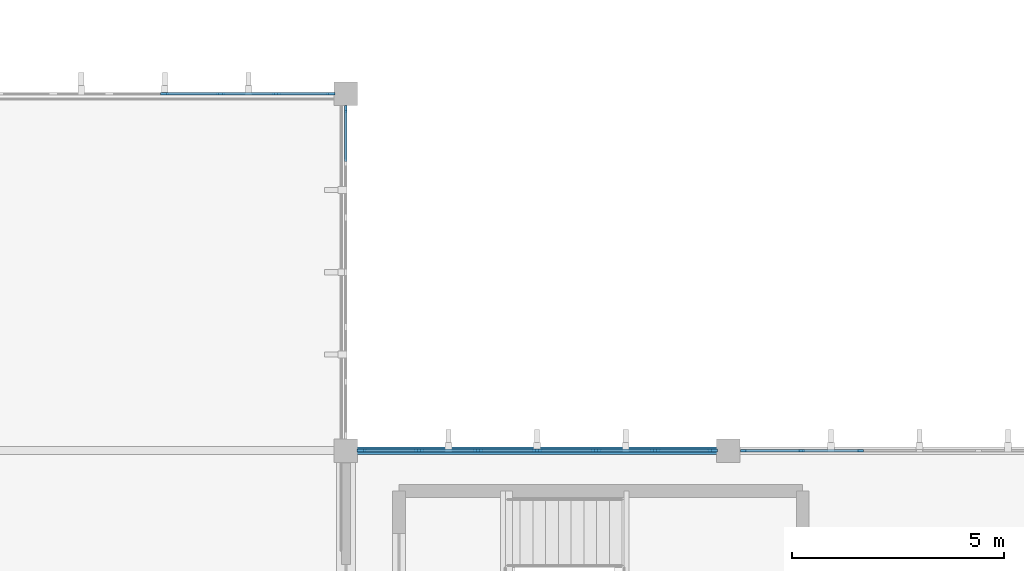
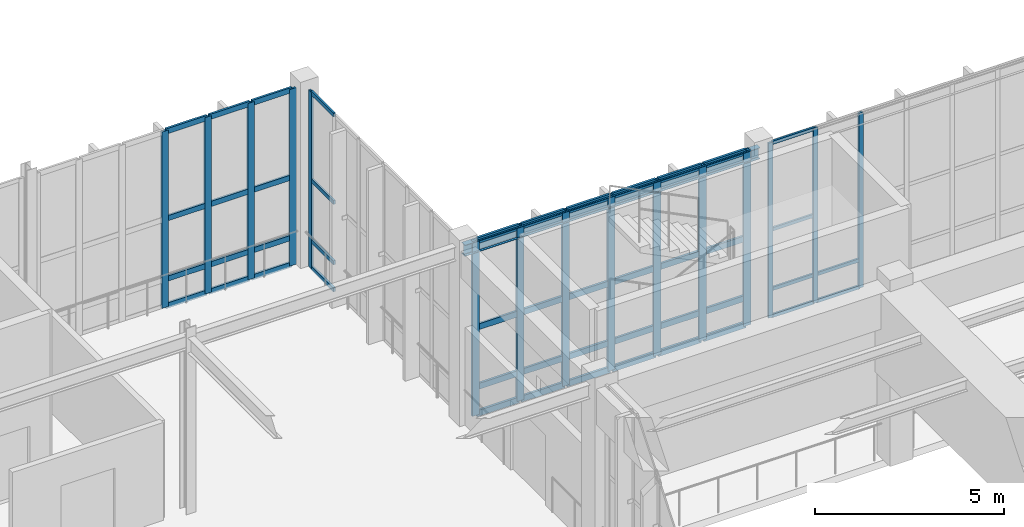
# One storey, part 39 of 105: 61 members, 1 beam, 4 elements without a shape of their own.
"""IFC4 building model written with IfcOpenShell, lengths in metres."""

from ifc_helpers import new_model, si_unit, direction, frame, origin, origin_2d, place, context, subcontext, project, spatial, rectangle, i_section, extrude, material, material_profile, profile_set, type_object, element, aggregate, save


model = new_model("IFC4")

# Units and contexts
model_context = context("Model", 3, precision=1e-05, world=origin(), true_north=direction((0.0, 1.0)))
body_context = subcontext(model_context, "Body", "Model", "MODEL_VIEW")
ifc_project = project(units=[si_unit("LENGTHUNIT", "METRE"), si_unit("AREAUNIT", "SQUARE_METRE"), si_unit("VOLUMEUNIT", "CUBIC_METRE"), si_unit("PLANEANGLEUNIT", "RADIAN"), si_unit("MASSUNIT", "GRAM", prefix="KILO")], contexts=[model_context])

# Site, building, storey
site_placement = place(None, origin())
site = spatial("IfcSite", under=ifc_project, at=site_placement, CompositionType="ELEMENT")
building_placement = place(site_placement, origin())
building = spatial("IfcBuilding", under=site, at=building_placement, Name="Tizgana Railside Sports Hall", CompositionType="ELEMENT")
storey_placement = place(building_placement, frame((0.0, 0.0, 6.0)))
storey = spatial("IfcBuildingStorey", under=building, at=storey_placement, Name="L01", CompositionType="ELEMENT", Elevation=6.0)

# Curtain wall, members
ifc_material_1 = material(Name="Anodised aluminium and glass", Category="aluminium")
curtain_wall_type_1 = type_object("IfcCurtainWallType", Name="Unitised Curtain Wall Studio 1400", PredefinedType="NOTDEFINED", material=ifc_material_1)
curtain_wall_1_placement = place(storey_placement, origin())
curtain_wall_1 = element("IfcCurtainWall", 1, at=curtain_wall_1_placement, inside=storey, type_object=curtain_wall_type_1, Name="L01 Curtain Wall CW-0018", PredefinedType="NOTDEFINED")
ifc_material_2 = material(Name="Anodised aluminium", Category="aluminium")
ifc_material_profile_1 = material_profile(ifc_material_2, rectangle(XDim=0.06005859375, YDim=0.139892578125, at=origin_2d()), Name="Mullion 60x140")
ifc_profile_set_1 = profile_set([ifc_material_profile_1], Name="Anodised aluminium")
member_type_1 = type_object("IfcMemberType", Name="Mullion 60x140", PredefinedType="MULLION", material=ifc_profile_set_1)
member_1_placement = place(storey_placement, frame((89.159912109375, 80.39990234375, 0.0), z_axis=(0.0, 0.0, 1.0), x_axis=(0.0, 1.0, 0.0)))
member_1 = element("IfcMember", 2, at=member_1_placement, type_object=member_type_1, Name="CW-03 mullion 1", PredefinedType="MULLION", context=body_context, shape_type="SweptSolid", body=[
    extrude(rectangle(XDim=0.06005859375, YDim=0.139892578125, at=origin_2d()), origin(), (0.0, 0.0, 1.0), 5.639892578125),
])
member_2_placement = place(storey_placement, frame((90.52001953125, 80.39990234375, 0.0), z_axis=(0.0, 0.0, 1.0), x_axis=(0.0, 1.0, 0.0)))
member_2 = element("IfcMember", 3, at=member_2_placement, type_object=member_type_1, Name="CW-03 mullion 2", PredefinedType="MULLION", context=body_context, shape_type="SweptSolid", body=[
    extrude(rectangle(XDim=0.06005859375, YDim=0.139892578125, at=origin_2d()), origin(), (0.0, 0.0, 1.0), 5.639892578125),
])
member_3_placement = place(storey_placement, frame((91.909912109375, 80.39990234375, 0.0), z_axis=(0.0, 0.0, 1.0), x_axis=(0.0, 1.0, 0.0)))
member_3 = element("IfcMember", 4, at=member_3_placement, type_object=member_type_1, Name="CW-03 mullion 3", PredefinedType="MULLION", context=body_context, shape_type="SweptSolid", body=[
    extrude(rectangle(XDim=0.06005859375, YDim=0.139892578125, at=origin_2d()), origin(), (0.0, 0.0, 1.0), 5.639892578125),
])

# Curtain wall, member
curtain_wall_type_2 = type_object("IfcCurtainWallType", Name="Unitised Curtain Wall Foyer 1300", PredefinedType="NOTDEFINED", material=ifc_material_1)
curtain_wall_2_placement = place(storey_placement, origin())
curtain_wall_2 = element("IfcCurtainWall", 5, at=curtain_wall_2_placement, inside=storey, type_object=curtain_wall_type_2, Name="L01 Curtain Wall CW-0169", PredefinedType="NOTDEFINED")
ifc_material_profile_2 = material_profile(ifc_material_2, rectangle(XDim=0.06005859375, YDim=0.159912109375, at=origin_2d()), Name="Mullion 60x160")
ifc_profile_set_2 = profile_set([ifc_material_profile_2], Name="Anodised aluminium")
member_type_2 = type_object("IfcMemberType", Name="Mullion 60x160", PredefinedType="MULLION", material=ifc_profile_set_2)
member_4_placement = place(storey_placement, frame((79.800048828125, 88.43994140625, 0.0), z_axis=(0.0, 0.0, 1.0), x_axis=(-1.0, 0.0, 0.0)))
member_4 = element("IfcMember", 6, at=member_4_placement, type_object=member_type_2, Name="CW-02 mullion 7", PredefinedType="MULLION", context=body_context, shape_type="SweptSolid", body=[
    extrude(rectangle(XDim=0.06005859375, YDim=0.159912109375, at=origin_2d()), origin(), (0.0, 0.0, 1.0), 5.68994140625),
])

# Curtain wall, members
curtain_wall_type_3 = type_object("IfcCurtainWallType", Name="Unitised Curtain Wall EastHall 1500", PredefinedType="NOTDEFINED", material=ifc_material_1)
curtain_wall_3_placement = place(storey_placement, origin())
curtain_wall_3 = element("IfcCurtainWall", 7, at=curtain_wall_3_placement, inside=storey, type_object=curtain_wall_type_3, Name="L01 Curtain Wall CW-0039", PredefinedType="NOTDEFINED")
ifc_material_profile_3 = material_profile(ifc_material_2, rectangle(XDim=0.06494140625, YDim=0.199951171875, at=origin_2d()), Name="Mullion 65x200")
ifc_profile_set_3 = profile_set([ifc_material_profile_3], Name="Anodised aluminium")
member_type_3 = type_object("IfcMemberType", Name="Mullion 65x200", PredefinedType="MULLION", material=ifc_profile_set_3)
member_5_placement = place(storey_placement, frame((75.53759765625, 88.800048828125, 0.0), z_axis=(0.0, 0.0, 1.0), x_axis=(0.0, 1.0, 0.0)))
member_5 = element("IfcMember", 8, at=member_5_placement, type_object=member_type_3, Name="CW-08 mullion 4", PredefinedType="MULLION", context=body_context, shape_type="SweptSolid", body=[
    extrude(rectangle(XDim=0.06494140625, YDim=0.199951171875, at=origin_2d()), origin(), (0.0, 0.0, 1.0), 5.68994140625),
])
member_6_placement = place(storey_placement, frame((76.848388671875, 88.800048828125, 0.0), z_axis=(0.0, 0.0, 1.0), x_axis=(0.0, 1.0, 0.0)))
member_6 = element("IfcMember", 9, at=member_6_placement, type_object=member_type_3, Name="CW-08 mullion 5", PredefinedType="MULLION", context=body_context, shape_type="SweptSolid", body=[
    extrude(rectangle(XDim=0.06494140625, YDim=0.199951171875, at=origin_2d()), origin(), (0.0, 0.0, 1.0), 5.68994140625),
])
member_7_placement = place(storey_placement, frame((78.1591796875, 88.800048828125, 0.0), z_axis=(0.0, 0.0, 1.0), x_axis=(0.0, 1.0, 0.0)))
member_7 = element("IfcMember", 10, at=member_7_placement, type_object=member_type_3, Name="CW-08 mullion 6", PredefinedType="MULLION", context=body_context, shape_type="SweptSolid", body=[
    extrude(rectangle(XDim=0.06494140625, YDim=0.199951171875, at=origin_2d()), origin(), (0.0, 0.0, 1.0), 5.68994140625),
])
member_8_placement = place(storey_placement, frame((79.4375, 88.800048828125, 0.0), z_axis=(0.0, 0.0, 1.0), x_axis=(0.0, 1.0, 0.0)))
member_8 = element("IfcMember", 11, at=member_8_placement, type_object=member_type_3, Name="CW-08 mullion 7", PredefinedType="MULLION", context=body_context, shape_type="SweptSolid", body=[
    extrude(rectangle(XDim=0.06494140625, YDim=0.199951171875, at=origin_2d()), origin(), (0.0, 0.0, 1.0), 5.68994140625),
])

curtain_wall_type_4 = type_object("IfcCurtainWallType", Name="Unitised Curtain Wall Concourse 1500", PredefinedType="NOTDEFINED", material=ifc_material_1)
curtain_wall_4_placement = place(storey_placement, origin())
curtain_wall_4 = element("IfcCurtainWall", 12, at=curtain_wall_4_placement, inside=storey, type_object=curtain_wall_type_4, Name="L01 Curtain Wall CW-0016", PredefinedType="NOTDEFINED")
ifc_material_profile_4 = material_profile(ifc_material_2, rectangle(XDim=0.070068359375, YDim=0.219970703125, at=origin_2d()), Name="Mullion 70x220")
ifc_profile_set_4 = profile_set([ifc_material_profile_4], Name="Anodised aluminium")
member_type_4 = type_object("IfcMemberType", Name="Mullion 70x220", PredefinedType="MULLION", material=ifc_profile_set_4)
member_9_placement = place(storey_placement, frame((80.1650390625, 80.39990234375, 0.0), z_axis=(0.0, 0.0, 1.0), x_axis=(0.0, 1.0, 0.0)))
member_9 = element("IfcMember", 13, at=member_9_placement, type_object=member_type_4, Name="CW-01 mullion 1", PredefinedType="MULLION", context=body_context, shape_type="SweptSolid", body=[
    extrude(rectangle(XDim=0.070068359375, YDim=0.219970703125, at=origin_2d()), origin(), (0.0, 0.0, 1.0), 5.639892578125),
])
member_10_placement = place(storey_placement, frame((81.52001953125, 80.39990234375, 0.0), z_axis=(0.0, 0.0, 1.0), x_axis=(0.0, 1.0, 0.0)))
member_10 = element("IfcMember", 14, at=member_10_placement, type_object=member_type_4, Name="CW-01 mullion 2", PredefinedType="MULLION", context=body_context, shape_type="SweptSolid", body=[
    extrude(rectangle(XDim=0.070068359375, YDim=0.219970703125, at=origin_2d()), origin(), (0.0, 0.0, 1.0), 5.639892578125),
])
member_11_placement = place(storey_placement, frame((82.909912109375, 80.39990234375, 0.0), z_axis=(0.0, 0.0, 1.0), x_axis=(0.0, 1.0, 0.0)))
member_11 = element("IfcMember", 15, at=member_11_placement, type_object=member_type_4, Name="CW-01 mullion 3", PredefinedType="MULLION", context=body_context, shape_type="SweptSolid", body=[
    extrude(rectangle(XDim=0.070068359375, YDim=0.219970703125, at=origin_2d()), origin(), (0.0, 0.0, 1.0), 5.639892578125),
])
member_12_placement = place(storey_placement, frame((84.300048828125, 80.39990234375, 0.0), z_axis=(0.0, 0.0, 1.0), x_axis=(0.0, 1.0, 0.0)))
member_12 = element("IfcMember", 16, at=member_12_placement, type_object=member_type_4, Name="CW-01 mullion 4", PredefinedType="MULLION", context=body_context, shape_type="SweptSolid", body=[
    extrude(rectangle(XDim=0.070068359375, YDim=0.219970703125, at=origin_2d()), origin(), (0.0, 0.0, 1.0), 5.639892578125),
])
member_13_placement = place(storey_placement, frame((85.68994140625, 80.39990234375, 0.0), z_axis=(0.0, 0.0, 1.0), x_axis=(0.0, 1.0, 0.0)))
member_13 = element("IfcMember", 17, at=member_13_placement, type_object=member_type_4, Name="CW-01 mullion 5", PredefinedType="MULLION", context=body_context, shape_type="SweptSolid", body=[
    extrude(rectangle(XDim=0.070068359375, YDim=0.219970703125, at=origin_2d()), origin(), (0.0, 0.0, 1.0), 5.639892578125),
])
member_14_placement = place(storey_placement, frame((87.080078125, 80.39990234375, 0.0), z_axis=(0.0, 0.0, 1.0), x_axis=(0.0, 1.0, 0.0)))
member_14 = element("IfcMember", 18, at=member_14_placement, type_object=member_type_4, Name="CW-01 mullion 6", PredefinedType="MULLION", context=body_context, shape_type="SweptSolid", body=[
    extrude(rectangle(XDim=0.070068359375, YDim=0.219970703125, at=origin_2d()), origin(), (0.0, 0.0, 1.0), 5.639892578125),
])
member_15_placement = place(storey_placement, frame((88.43505859375, 80.39990234375, 0.0), z_axis=(0.0, 0.0, 1.0), x_axis=(0.0, 1.0, 0.0)))
member_15 = element("IfcMember", 19, at=member_15_placement, type_object=member_type_4, Name="CW-01 mullion 7", PredefinedType="MULLION", context=body_context, shape_type="SweptSolid", body=[
    extrude(rectangle(XDim=0.070068359375, YDim=0.219970703125, at=origin_2d()), origin(), (0.0, 0.0, 1.0), 5.639892578125),
])

# Beam
ifc_material_3 = material(Name="Steel S355J2", Category="steel")
ifc_material_profile_5 = material_profile(ifc_material_3, i_section(OverallWidth=0.169921875, OverallDepth=0.360107421875, WebThickness=0.008056640625, FlangeThickness=0.0126953125, FilletRadius=0.01806640625, at=origin_2d()), Name="IPE 360")
ifc_profile_set_5 = profile_set([ifc_material_profile_5], Name="Steel S355J2")
beam_type = type_object("IfcBeamType", Name="Steel Joist IPE 360", PredefinedType="JOIST", material=ifc_profile_set_5)
beam_placement = place(storey_placement, frame((79.800048828125, 80.39990234375, 5.4560546875), z_axis=(1.0, 0.0, 0.0), x_axis=(0.0, 1.0, 0.0)))
element("IfcBeam", 20, at=beam_placement, inside=storey, type_object=beam_type, Name="L01 BEM-0267", PredefinedType="JOIST", context=body_context, shape_type="SweptSolid", body=[
    extrude(i_section(OverallWidth=0.169921875, OverallDepth=0.360107421875, WebThickness=0.008056640625, FlangeThickness=0.0126953125, FilletRadius=0.01806640625, at=origin_2d()), origin(), (0.0, 0.0, 1.0), 9.0),
])

# Member
ifc_material_profile_6 = material_profile(ifc_material_2, rectangle(XDim=0.06005859375, YDim=0.110107421875, at=origin_2d()), Name="Transom 60x110")
ifc_profile_set_6 = profile_set([ifc_material_profile_6], Name="Anodised aluminium")
member_type_5 = type_object("IfcMemberType", Name="Transom 60x110", PredefinedType="USERDEFINED", material=ifc_profile_set_6)
member_16_placement = place(storey_placement, frame((89.18994140625, 80.39990234375, 0.030029296875), z_axis=(1.0, 0.0, 0.0), x_axis=(0.0, 1.0, 0.0)))
member_16 = element("IfcMember", 21, at=member_16_placement, type_object=member_type_5, Name="CW-03 transom 1.1", ObjectType="TRANSOM", PredefinedType="USERDEFINED", context=body_context, shape_type="SweptSolid", body=[
    extrude(rectangle(XDim=0.06005859375, YDim=0.110107421875, at=origin_2d()), origin(), (0.0, 0.0, 1.0), 1.300048828125),
])

member_17_placement = place(storey_placement, frame((89.18994140625, 80.39990234375, 0.89990234375), z_axis=(1.0, 0.0, 0.0), x_axis=(0.0, 1.0, 0.0)))
member_17 = element("IfcMember", 22, at=member_17_placement, type_object=member_type_5, Name="CW-03 transom 1.2", ObjectType="TRANSOM", PredefinedType="USERDEFINED", context=body_context, shape_type="SweptSolid", body=[
    extrude(rectangle(XDim=0.06005859375, YDim=0.110107421875, at=origin_2d()), origin(), (0.0, 0.0, 1.0), 1.300048828125),
])

member_18_placement = place(storey_placement, frame((89.18994140625, 80.39990234375, 2.820068359375), z_axis=(1.0, 0.0, 0.0), x_axis=(0.0, 1.0, 0.0)))
member_18 = element("IfcMember", 23, at=member_18_placement, type_object=member_type_5, Name="CW-03 transom 1.3", ObjectType="TRANSOM", PredefinedType="USERDEFINED", context=body_context, shape_type="SweptSolid", body=[
    extrude(rectangle(XDim=0.06005859375, YDim=0.110107421875, at=origin_2d()), origin(), (0.0, 0.0, 1.0), 1.300048828125),
])

member_19_placement = place(storey_placement, frame((89.18994140625, 80.39990234375, 5.610107421875), z_axis=(1.0, 0.0, 0.0), x_axis=(0.0, 1.0, 0.0)))
member_19 = element("IfcMember", 24, at=member_19_placement, type_object=member_type_5, Name="CW-03 transom 1.4", ObjectType="TRANSOM", PredefinedType="USERDEFINED", context=body_context, shape_type="SweptSolid", body=[
    extrude(rectangle(XDim=0.06005859375, YDim=0.110107421875, at=origin_2d()), origin(), (0.0, 0.0, 1.0), 1.300048828125),
])

member_20_placement = place(storey_placement, frame((90.550048828125, 80.39990234375, 0.030029296875), z_axis=(1.0, 0.0, 0.0), x_axis=(0.0, 1.0, 0.0)))
member_20 = element("IfcMember", 25, at=member_20_placement, type_object=member_type_5, Name="CW-03 transom 2.1", ObjectType="TRANSOM", PredefinedType="USERDEFINED", context=body_context, shape_type="SweptSolid", body=[
    extrude(rectangle(XDim=0.06005859375, YDim=0.110107421875, at=origin_2d()), origin(), (0.0, 0.0, 1.0), 1.329833984375),
])

member_21_placement = place(storey_placement, frame((90.550048828125, 80.39990234375, 0.89990234375), z_axis=(1.0, 0.0, 0.0), x_axis=(0.0, 1.0, 0.0)))
member_21 = element("IfcMember", 26, at=member_21_placement, type_object=member_type_5, Name="CW-03 transom 2.2", ObjectType="TRANSOM", PredefinedType="USERDEFINED", context=body_context, shape_type="SweptSolid", body=[
    extrude(rectangle(XDim=0.06005859375, YDim=0.110107421875, at=origin_2d()), origin(), (0.0, 0.0, 1.0), 1.329833984375),
])

aggregate(curtain_wall_1, [member_1, member_2, member_3, member_16, member_17, member_18, member_19, member_20, member_21])

ifc_material_profile_7 = material_profile(ifc_material_2, rectangle(XDim=0.06005859375, YDim=0.1298828125, at=origin_2d()), Name="Transom 60x130")
ifc_profile_set_7 = profile_set([ifc_material_profile_7], Name="Anodised aluminium")
member_type_6 = type_object("IfcMemberType", Name="Transom 60x130", PredefinedType="USERDEFINED", material=ifc_profile_set_7)
member_22_placement = place(storey_placement, frame((79.800048828125, 87.2099609375, 0.030029296875), z_axis=(0.0, 1.0, 0.0), x_axis=(-1.0, 0.0, 0.0)))
member_22 = element("IfcMember", 27, at=member_22_placement, type_object=member_type_6, Name="CW-02 transom 6.1", ObjectType="TRANSOM", PredefinedType="USERDEFINED", context=body_context, shape_type="SweptSolid", body=[
    extrude(rectangle(XDim=0.06005859375, YDim=0.1298828125, at=origin_2d()), origin(), (0.0, 0.0, 1.0), 1.199951171875),
])

member_23_placement = place(storey_placement, frame((79.800048828125, 87.2099609375, 0.89990234375), z_axis=(0.0, 1.0, 0.0), x_axis=(-1.0, 0.0, 0.0)))
member_23 = element("IfcMember", 28, at=member_23_placement, type_object=member_type_6, Name="CW-02 transom 6.2", ObjectType="TRANSOM", PredefinedType="USERDEFINED", context=body_context, shape_type="SweptSolid", body=[
    extrude(rectangle(XDim=0.06005859375, YDim=0.1298828125, at=origin_2d()), origin(), (0.0, 0.0, 1.0), 1.199951171875),
])

member_24_placement = place(storey_placement, frame((79.800048828125, 87.2099609375, 2.844970703125), z_axis=(0.0, 1.0, 0.0), x_axis=(-1.0, 0.0, 0.0)))
member_24 = element("IfcMember", 29, at=member_24_placement, type_object=member_type_6, Name="CW-02 transom 6.3", ObjectType="TRANSOM", PredefinedType="USERDEFINED", context=body_context, shape_type="SweptSolid", body=[
    extrude(rectangle(XDim=0.06005859375, YDim=0.1298828125, at=origin_2d()), origin(), (0.0, 0.0, 1.0), 1.199951171875),
])

member_25_placement = place(storey_placement, frame((79.800048828125, 87.2099609375, 5.659912109375), z_axis=(0.0, 1.0, 0.0), x_axis=(-1.0, 0.0, 0.0)))
member_25 = element("IfcMember", 30, at=member_25_placement, type_object=member_type_6, Name="CW-02 transom 6.4", ObjectType="TRANSOM", PredefinedType="USERDEFINED", context=body_context, shape_type="SweptSolid", body=[
    extrude(rectangle(XDim=0.06005859375, YDim=0.1298828125, at=origin_2d()), origin(), (0.0, 0.0, 1.0), 1.199951171875),
])

aggregate(curtain_wall_2, [member_4, member_22, member_23, member_24, member_25])

ifc_material_profile_8 = material_profile(ifc_material_2, rectangle(XDim=0.06494140625, YDim=0.169921875, at=origin_2d()), Name="Transom 65x170")
ifc_profile_set_8 = profile_set([ifc_material_profile_8], Name="Anodised aluminium")
member_type_7 = type_object("IfcMemberType", Name="Transom 65x170", PredefinedType="USERDEFINED", material=ifc_profile_set_8)
member_26_placement = place(storey_placement, frame((75.570068359375, 88.800048828125, 0.032470703125), z_axis=(1.0, 0.0, 0.0), x_axis=(0.0, 1.0, 0.0)))
member_26 = element("IfcMember", 31, at=member_26_placement, type_object=member_type_7, Name="CW-08 transom 4.1", ObjectType="TRANSOM", PredefinedType="USERDEFINED", context=body_context, shape_type="SweptSolid", body=[
    extrude(rectangle(XDim=0.06494140625, YDim=0.169921875, at=origin_2d()), origin(), (0.0, 0.0, 1.0), 1.245849609375),
])

member_27_placement = place(storey_placement, frame((75.570068359375, 88.800048828125, 0.89990234375), z_axis=(1.0, 0.0, 0.0), x_axis=(0.0, 1.0, 0.0)))
member_27 = element("IfcMember", 32, at=member_27_placement, type_object=member_type_7, Name="CW-08 transom 4.2", ObjectType="TRANSOM", PredefinedType="USERDEFINED", context=body_context, shape_type="SweptSolid", body=[
    extrude(rectangle(XDim=0.06494140625, YDim=0.169921875, at=origin_2d()), origin(), (0.0, 0.0, 1.0), 1.245849609375),
])

member_28_placement = place(storey_placement, frame((75.570068359375, 88.800048828125, 2.844970703125), z_axis=(1.0, 0.0, 0.0), x_axis=(0.0, 1.0, 0.0)))
member_28 = element("IfcMember", 33, at=member_28_placement, type_object=member_type_7, Name="CW-08 transom 4.3", ObjectType="TRANSOM", PredefinedType="USERDEFINED", context=body_context, shape_type="SweptSolid", body=[
    extrude(rectangle(XDim=0.06494140625, YDim=0.169921875, at=origin_2d()), origin(), (0.0, 0.0, 1.0), 1.245849609375),
])

member_29_placement = place(storey_placement, frame((75.570068359375, 88.800048828125, 5.657470703125), z_axis=(1.0, 0.0, 0.0), x_axis=(0.0, 1.0, 0.0)))
member_29 = element("IfcMember", 34, at=member_29_placement, type_object=member_type_7, Name="CW-08 transom 4.4", ObjectType="TRANSOM", PredefinedType="USERDEFINED", context=body_context, shape_type="SweptSolid", body=[
    extrude(rectangle(XDim=0.06494140625, YDim=0.169921875, at=origin_2d()), origin(), (0.0, 0.0, 1.0), 1.245849609375),
])

member_30_placement = place(storey_placement, frame((76.880859375, 88.800048828125, 0.032470703125), z_axis=(1.0, 0.0, 0.0), x_axis=(0.0, 1.0, 0.0)))
member_30 = element("IfcMember", 35, at=member_30_placement, type_object=member_type_7, Name="CW-08 transom 5.1", ObjectType="TRANSOM", PredefinedType="USERDEFINED", context=body_context, shape_type="SweptSolid", body=[
    extrude(rectangle(XDim=0.06494140625, YDim=0.169921875, at=origin_2d()), origin(), (0.0, 0.0, 1.0), 1.245849609375),
])

member_31_placement = place(storey_placement, frame((76.880859375, 88.800048828125, 0.89990234375), z_axis=(1.0, 0.0, 0.0), x_axis=(0.0, 1.0, 0.0)))
member_31 = element("IfcMember", 36, at=member_31_placement, type_object=member_type_7, Name="CW-08 transom 5.2", ObjectType="TRANSOM", PredefinedType="USERDEFINED", context=body_context, shape_type="SweptSolid", body=[
    extrude(rectangle(XDim=0.06494140625, YDim=0.169921875, at=origin_2d()), origin(), (0.0, 0.0, 1.0), 1.245849609375),
])

member_32_placement = place(storey_placement, frame((76.880859375, 88.800048828125, 2.844970703125), z_axis=(1.0, 0.0, 0.0), x_axis=(0.0, 1.0, 0.0)))
member_32 = element("IfcMember", 37, at=member_32_placement, type_object=member_type_7, Name="CW-08 transom 5.3", ObjectType="TRANSOM", PredefinedType="USERDEFINED", context=body_context, shape_type="SweptSolid", body=[
    extrude(rectangle(XDim=0.06494140625, YDim=0.169921875, at=origin_2d()), origin(), (0.0, 0.0, 1.0), 1.245849609375),
])

member_33_placement = place(storey_placement, frame((76.880859375, 88.800048828125, 5.657470703125), z_axis=(1.0, 0.0, 0.0), x_axis=(0.0, 1.0, 0.0)))
member_33 = element("IfcMember", 38, at=member_33_placement, type_object=member_type_7, Name="CW-08 transom 5.4", ObjectType="TRANSOM", PredefinedType="USERDEFINED", context=body_context, shape_type="SweptSolid", body=[
    extrude(rectangle(XDim=0.06494140625, YDim=0.169921875, at=origin_2d()), origin(), (0.0, 0.0, 1.0), 1.245849609375),
])

member_34_placement = place(storey_placement, frame((78.191650390625, 88.800048828125, 0.032470703125), z_axis=(1.0, 0.0, 0.0), x_axis=(0.0, 1.0, 0.0)))
member_34 = element("IfcMember", 39, at=member_34_placement, type_object=member_type_7, Name="CW-08 transom 6.1", ObjectType="TRANSOM", PredefinedType="USERDEFINED", context=body_context, shape_type="SweptSolid", body=[
    extrude(rectangle(XDim=0.06494140625, YDim=0.169921875, at=origin_2d()), origin(), (0.0, 0.0, 1.0), 1.21337890625),
])

member_35_placement = place(storey_placement, frame((78.191650390625, 88.800048828125, 0.89990234375), z_axis=(1.0, 0.0, 0.0), x_axis=(0.0, 1.0, 0.0)))
member_35 = element("IfcMember", 40, at=member_35_placement, type_object=member_type_7, Name="CW-08 transom 6.2", ObjectType="TRANSOM", PredefinedType="USERDEFINED", context=body_context, shape_type="SweptSolid", body=[
    extrude(rectangle(XDim=0.06494140625, YDim=0.169921875, at=origin_2d()), origin(), (0.0, 0.0, 1.0), 1.21337890625),
])

member_36_placement = place(storey_placement, frame((78.191650390625, 88.800048828125, 2.844970703125), z_axis=(1.0, 0.0, 0.0), x_axis=(0.0, 1.0, 0.0)))
member_36 = element("IfcMember", 41, at=member_36_placement, type_object=member_type_7, Name="CW-08 transom 6.3", ObjectType="TRANSOM", PredefinedType="USERDEFINED", context=body_context, shape_type="SweptSolid", body=[
    extrude(rectangle(XDim=0.06494140625, YDim=0.169921875, at=origin_2d()), origin(), (0.0, 0.0, 1.0), 1.21337890625),
])

member_37_placement = place(storey_placement, frame((78.191650390625, 88.800048828125, 5.657470703125), z_axis=(1.0, 0.0, 0.0), x_axis=(0.0, 1.0, 0.0)))
member_37 = element("IfcMember", 42, at=member_37_placement, type_object=member_type_7, Name="CW-08 transom 6.4", ObjectType="TRANSOM", PredefinedType="USERDEFINED", context=body_context, shape_type="SweptSolid", body=[
    extrude(rectangle(XDim=0.06494140625, YDim=0.169921875, at=origin_2d()), origin(), (0.0, 0.0, 1.0), 1.21337890625),
])

aggregate(curtain_wall_3, [member_5, member_6, member_7, member_8, member_26, member_27, member_28, member_29, member_30, member_31, member_32, member_33, member_34, member_35, member_36, member_37])

ifc_material_profile_9 = material_profile(ifc_material_2, rectangle(XDim=0.070068359375, YDim=0.18994140625, at=origin_2d()), Name="Transom 70x190")
ifc_profile_set_9 = profile_set([ifc_material_profile_9], Name="Anodised aluminium")
member_type_8 = type_object("IfcMemberType", Name="Transom 70x190", PredefinedType="USERDEFINED", material=ifc_profile_set_9)
member_38_placement = place(storey_placement, frame((80.199951171875, 80.39990234375, 0.034912109375), z_axis=(1.0, 0.0, 0.0), x_axis=(0.0, 1.0, 0.0)))
member_38 = element("IfcMember", 43, at=member_38_placement, type_object=member_type_8, Name="CW-01 transom 1.1", ObjectType="TRANSOM", PredefinedType="USERDEFINED", context=body_context, shape_type="SweptSolid", body=[
    extrude(rectangle(XDim=0.070068359375, YDim=0.18994140625, at=origin_2d()), origin(), (0.0, 0.0, 1.0), 1.28515625),
])

member_39_placement = place(storey_placement, frame((80.199951171875, 80.39990234375, 0.89990234375), z_axis=(1.0, 0.0, 0.0), x_axis=(0.0, 1.0, 0.0)))
member_39 = element("IfcMember", 44, at=member_39_placement, type_object=member_type_8, Name="CW-01 transom 1.2", ObjectType="TRANSOM", PredefinedType="USERDEFINED", context=body_context, shape_type="SweptSolid", body=[
    extrude(rectangle(XDim=0.070068359375, YDim=0.18994140625, at=origin_2d()), origin(), (0.0, 0.0, 1.0), 1.28515625),
])

member_40_placement = place(storey_placement, frame((80.199951171875, 80.39990234375, 2.820068359375), z_axis=(1.0, 0.0, 0.0), x_axis=(0.0, 1.0, 0.0)))
member_40 = element("IfcMember", 45, at=member_40_placement, type_object=member_type_8, Name="CW-01 transom 1.3", ObjectType="TRANSOM", PredefinedType="USERDEFINED", context=body_context, shape_type="SweptSolid", body=[
    extrude(rectangle(XDim=0.070068359375, YDim=0.18994140625, at=origin_2d()), origin(), (0.0, 0.0, 1.0), 1.28515625),
])

member_41_placement = place(storey_placement, frame((80.199951171875, 80.39990234375, 5.60498046875), z_axis=(1.0, 0.0, 0.0), x_axis=(0.0, 1.0, 0.0)))
member_41 = element("IfcMember", 46, at=member_41_placement, type_object=member_type_8, Name="CW-01 transom 1.4", ObjectType="TRANSOM", PredefinedType="USERDEFINED", context=body_context, shape_type="SweptSolid", body=[
    extrude(rectangle(XDim=0.070068359375, YDim=0.18994140625, at=origin_2d()), origin(), (0.0, 0.0, 1.0), 1.28515625),
])

member_42_placement = place(storey_placement, frame((81.554931640625, 80.39990234375, 0.034912109375), z_axis=(1.0, 0.0, 0.0), x_axis=(0.0, 1.0, 0.0)))
member_42 = element("IfcMember", 47, at=member_42_placement, type_object=member_type_8, Name="CW-01 transom 2.1", ObjectType="TRANSOM", PredefinedType="USERDEFINED", context=body_context, shape_type="SweptSolid", body=[
    extrude(rectangle(XDim=0.070068359375, YDim=0.18994140625, at=origin_2d()), origin(), (0.0, 0.0, 1.0), 1.320068359375),
])

member_43_placement = place(storey_placement, frame((81.554931640625, 80.39990234375, 0.89990234375), z_axis=(1.0, 0.0, 0.0), x_axis=(0.0, 1.0, 0.0)))
member_43 = element("IfcMember", 48, at=member_43_placement, type_object=member_type_8, Name="CW-01 transom 2.2", ObjectType="TRANSOM", PredefinedType="USERDEFINED", context=body_context, shape_type="SweptSolid", body=[
    extrude(rectangle(XDim=0.070068359375, YDim=0.18994140625, at=origin_2d()), origin(), (0.0, 0.0, 1.0), 1.320068359375),
])

member_44_placement = place(storey_placement, frame((81.554931640625, 80.39990234375, 2.820068359375), z_axis=(1.0, 0.0, 0.0), x_axis=(0.0, 1.0, 0.0)))
member_44 = element("IfcMember", 49, at=member_44_placement, type_object=member_type_8, Name="CW-01 transom 2.3", ObjectType="TRANSOM", PredefinedType="USERDEFINED", context=body_context, shape_type="SweptSolid", body=[
    extrude(rectangle(XDim=0.070068359375, YDim=0.18994140625, at=origin_2d()), origin(), (0.0, 0.0, 1.0), 1.320068359375),
])

member_45_placement = place(storey_placement, frame((81.554931640625, 80.39990234375, 5.60498046875), z_axis=(1.0, 0.0, 0.0), x_axis=(0.0, 1.0, 0.0)))
member_45 = element("IfcMember", 50, at=member_45_placement, type_object=member_type_8, Name="CW-01 transom 2.4", ObjectType="TRANSOM", PredefinedType="USERDEFINED", context=body_context, shape_type="SweptSolid", body=[
    extrude(rectangle(XDim=0.070068359375, YDim=0.18994140625, at=origin_2d()), origin(), (0.0, 0.0, 1.0), 1.320068359375),
])

member_46_placement = place(storey_placement, frame((82.945068359375, 80.39990234375, 0.034912109375), z_axis=(1.0, 0.0, 0.0), x_axis=(0.0, 1.0, 0.0)))
member_46 = element("IfcMember", 51, at=member_46_placement, type_object=member_type_8, Name="CW-01 transom 3.1", ObjectType="TRANSOM", PredefinedType="USERDEFINED", context=body_context, shape_type="SweptSolid", body=[
    extrude(rectangle(XDim=0.070068359375, YDim=0.18994140625, at=origin_2d()), origin(), (0.0, 0.0, 1.0), 1.31982421875),
])

member_47_placement = place(storey_placement, frame((82.945068359375, 80.39990234375, 0.89990234375), z_axis=(1.0, 0.0, 0.0), x_axis=(0.0, 1.0, 0.0)))
member_47 = element("IfcMember", 52, at=member_47_placement, type_object=member_type_8, Name="CW-01 transom 3.2", ObjectType="TRANSOM", PredefinedType="USERDEFINED", context=body_context, shape_type="SweptSolid", body=[
    extrude(rectangle(XDim=0.070068359375, YDim=0.18994140625, at=origin_2d()), origin(), (0.0, 0.0, 1.0), 1.31982421875),
])

member_48_placement = place(storey_placement, frame((82.945068359375, 80.39990234375, 2.820068359375), z_axis=(1.0, 0.0, 0.0), x_axis=(0.0, 1.0, 0.0)))
member_48 = element("IfcMember", 53, at=member_48_placement, type_object=member_type_8, Name="CW-01 transom 3.3", ObjectType="TRANSOM", PredefinedType="USERDEFINED", context=body_context, shape_type="SweptSolid", body=[
    extrude(rectangle(XDim=0.070068359375, YDim=0.18994140625, at=origin_2d()), origin(), (0.0, 0.0, 1.0), 1.31982421875),
])

member_49_placement = place(storey_placement, frame((82.945068359375, 80.39990234375, 5.60498046875), z_axis=(1.0, 0.0, 0.0), x_axis=(0.0, 1.0, 0.0)))
member_49 = element("IfcMember", 54, at=member_49_placement, type_object=member_type_8, Name="CW-01 transom 3.4", ObjectType="TRANSOM", PredefinedType="USERDEFINED", context=body_context, shape_type="SweptSolid", body=[
    extrude(rectangle(XDim=0.070068359375, YDim=0.18994140625, at=origin_2d()), origin(), (0.0, 0.0, 1.0), 1.31982421875),
])

member_50_placement = place(storey_placement, frame((84.3349609375, 80.39990234375, 0.034912109375), z_axis=(1.0, 0.0, 0.0), x_axis=(0.0, 1.0, 0.0)))
member_50 = element("IfcMember", 55, at=member_50_placement, type_object=member_type_8, Name="CW-01 transom 4.1", ObjectType="TRANSOM", PredefinedType="USERDEFINED", context=body_context, shape_type="SweptSolid", body=[
    extrude(rectangle(XDim=0.070068359375, YDim=0.18994140625, at=origin_2d()), origin(), (0.0, 0.0, 1.0), 1.320068359375),
])

member_51_placement = place(storey_placement, frame((84.3349609375, 80.39990234375, 0.89990234375), z_axis=(1.0, 0.0, 0.0), x_axis=(0.0, 1.0, 0.0)))
member_51 = element("IfcMember", 56, at=member_51_placement, type_object=member_type_8, Name="CW-01 transom 4.2", ObjectType="TRANSOM", PredefinedType="USERDEFINED", context=body_context, shape_type="SweptSolid", body=[
    extrude(rectangle(XDim=0.070068359375, YDim=0.18994140625, at=origin_2d()), origin(), (0.0, 0.0, 1.0), 1.320068359375),
])

member_52_placement = place(storey_placement, frame((84.3349609375, 80.39990234375, 2.820068359375), z_axis=(1.0, 0.0, 0.0), x_axis=(0.0, 1.0, 0.0)))
member_52 = element("IfcMember", 57, at=member_52_placement, type_object=member_type_8, Name="CW-01 transom 4.3", ObjectType="TRANSOM", PredefinedType="USERDEFINED", context=body_context, shape_type="SweptSolid", body=[
    extrude(rectangle(XDim=0.070068359375, YDim=0.18994140625, at=origin_2d()), origin(), (0.0, 0.0, 1.0), 1.320068359375),
])

member_53_placement = place(storey_placement, frame((84.3349609375, 80.39990234375, 5.60498046875), z_axis=(1.0, 0.0, 0.0), x_axis=(0.0, 1.0, 0.0)))
member_53 = element("IfcMember", 58, at=member_53_placement, type_object=member_type_8, Name="CW-01 transom 4.4", ObjectType="TRANSOM", PredefinedType="USERDEFINED", context=body_context, shape_type="SweptSolid", body=[
    extrude(rectangle(XDim=0.070068359375, YDim=0.18994140625, at=origin_2d()), origin(), (0.0, 0.0, 1.0), 1.320068359375),
])

member_54_placement = place(storey_placement, frame((85.72509765625, 80.39990234375, 0.034912109375), z_axis=(1.0, 0.0, 0.0), x_axis=(0.0, 1.0, 0.0)))
member_54 = element("IfcMember", 59, at=member_54_placement, type_object=member_type_8, Name="CW-01 transom 5.1", ObjectType="TRANSOM", PredefinedType="USERDEFINED", context=body_context, shape_type="SweptSolid", body=[
    extrude(rectangle(XDim=0.070068359375, YDim=0.18994140625, at=origin_2d()), origin(), (0.0, 0.0, 1.0), 1.31982421875),
])

member_55_placement = place(storey_placement, frame((85.72509765625, 80.39990234375, 0.89990234375), z_axis=(1.0, 0.0, 0.0), x_axis=(0.0, 1.0, 0.0)))
member_55 = element("IfcMember", 60, at=member_55_placement, type_object=member_type_8, Name="CW-01 transom 5.2", ObjectType="TRANSOM", PredefinedType="USERDEFINED", context=body_context, shape_type="SweptSolid", body=[
    extrude(rectangle(XDim=0.070068359375, YDim=0.18994140625, at=origin_2d()), origin(), (0.0, 0.0, 1.0), 1.31982421875),
])

member_56_placement = place(storey_placement, frame((85.72509765625, 80.39990234375, 2.820068359375), z_axis=(1.0, 0.0, 0.0), x_axis=(0.0, 1.0, 0.0)))
member_56 = element("IfcMember", 61, at=member_56_placement, type_object=member_type_8, Name="CW-01 transom 5.3", ObjectType="TRANSOM", PredefinedType="USERDEFINED", context=body_context, shape_type="SweptSolid", body=[
    extrude(rectangle(XDim=0.070068359375, YDim=0.18994140625, at=origin_2d()), origin(), (0.0, 0.0, 1.0), 1.31982421875),
])

member_57_placement = place(storey_placement, frame((85.72509765625, 80.39990234375, 5.60498046875), z_axis=(1.0, 0.0, 0.0), x_axis=(0.0, 1.0, 0.0)))
member_57 = element("IfcMember", 62, at=member_57_placement, type_object=member_type_8, Name="CW-01 transom 5.4", ObjectType="TRANSOM", PredefinedType="USERDEFINED", context=body_context, shape_type="SweptSolid", body=[
    extrude(rectangle(XDim=0.070068359375, YDim=0.18994140625, at=origin_2d()), origin(), (0.0, 0.0, 1.0), 1.31982421875),
])

member_58_placement = place(storey_placement, frame((87.114990234375, 80.39990234375, 0.034912109375), z_axis=(1.0, 0.0, 0.0), x_axis=(0.0, 1.0, 0.0)))
member_58 = element("IfcMember", 63, at=member_58_placement, type_object=member_type_8, Name="CW-01 transom 6.1", ObjectType="TRANSOM", PredefinedType="USERDEFINED", context=body_context, shape_type="SweptSolid", body=[
    extrude(rectangle(XDim=0.070068359375, YDim=0.18994140625, at=origin_2d()), origin(), (0.0, 0.0, 1.0), 1.284912109375),
])

member_59_placement = place(storey_placement, frame((87.114990234375, 80.39990234375, 0.89990234375), z_axis=(1.0, 0.0, 0.0), x_axis=(0.0, 1.0, 0.0)))
member_59 = element("IfcMember", 64, at=member_59_placement, type_object=member_type_8, Name="CW-01 transom 6.2", ObjectType="TRANSOM", PredefinedType="USERDEFINED", context=body_context, shape_type="SweptSolid", body=[
    extrude(rectangle(XDim=0.070068359375, YDim=0.18994140625, at=origin_2d()), origin(), (0.0, 0.0, 1.0), 1.284912109375),
])

member_60_placement = place(storey_placement, frame((87.114990234375, 80.39990234375, 2.820068359375), z_axis=(1.0, 0.0, 0.0), x_axis=(0.0, 1.0, 0.0)))
member_60 = element("IfcMember", 65, at=member_60_placement, type_object=member_type_8, Name="CW-01 transom 6.3", ObjectType="TRANSOM", PredefinedType="USERDEFINED", context=body_context, shape_type="SweptSolid", body=[
    extrude(rectangle(XDim=0.070068359375, YDim=0.18994140625, at=origin_2d()), origin(), (0.0, 0.0, 1.0), 1.284912109375),
])

member_61_placement = place(storey_placement, frame((87.114990234375, 80.39990234375, 5.60498046875), z_axis=(1.0, 0.0, 0.0), x_axis=(0.0, 1.0, 0.0)))
member_61 = element("IfcMember", 66, at=member_61_placement, type_object=member_type_8, Name="CW-01 transom 6.4", ObjectType="TRANSOM", PredefinedType="USERDEFINED", context=body_context, shape_type="SweptSolid", body=[
    extrude(rectangle(XDim=0.070068359375, YDim=0.18994140625, at=origin_2d()), origin(), (0.0, 0.0, 1.0), 1.284912109375),
])

aggregate(curtain_wall_4, [member_9, member_10, member_11, member_12, member_13, member_14, member_15, member_38, member_39, member_40, member_41, member_42, member_43, member_44, member_45, member_46, member_47, member_48, member_49, member_50, member_51, member_52, member_53, member_54, member_55, member_56, member_57, member_58, member_59, member_60, member_61])

save(model, "model.ifc")
